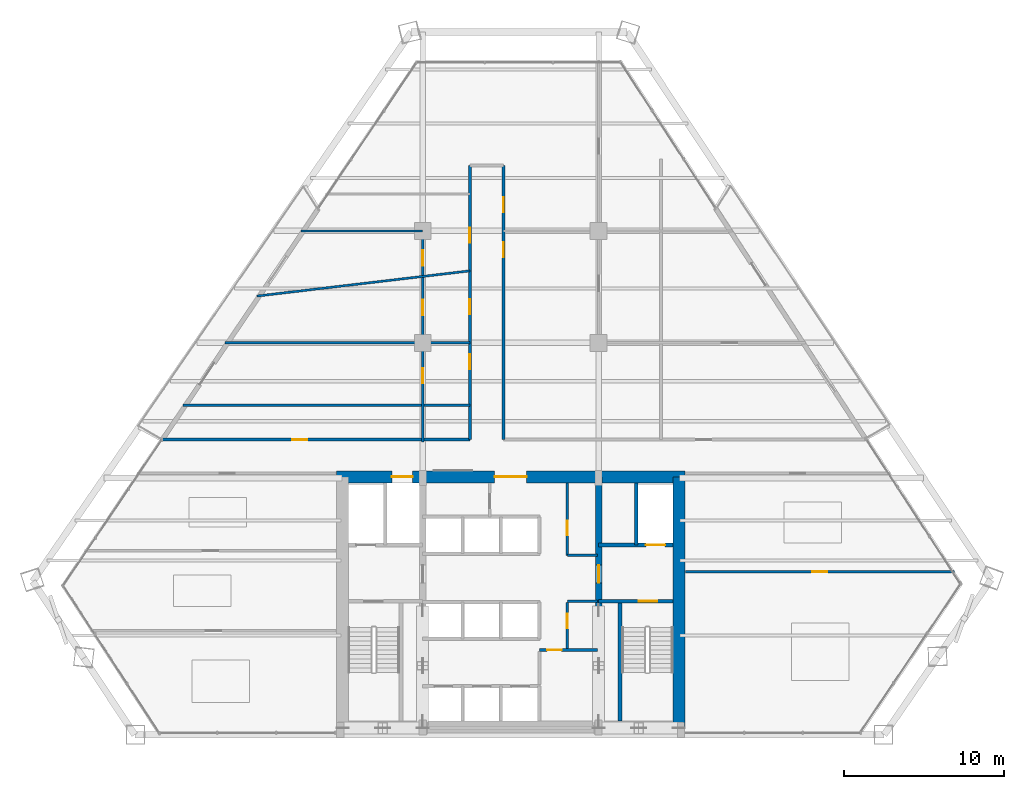
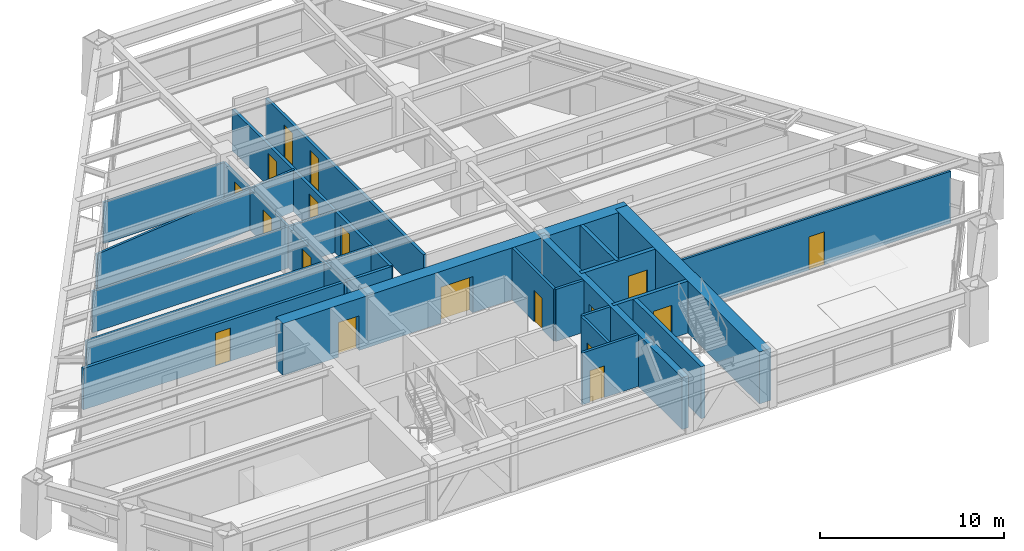
# One storey, part 11 of 14: 21 walls, 18 doors, 18 openings.
"""IFC4 building model written with IfcOpenShell, lengths in metres."""

import ifcopenshell
import ifcopenshell.guid

model = None  # the IFC model being written
_history = None  # IfcOwnerHistory: only IFC2X3 demands one
_inside = {}  # id of a spatial element -> (the spatial element, [elements in it])
_under = {}  # id of a project, library or spatial element -> (it, [spatial elements below it])
_declared = {}  # id of a project -> (the project, [libraries it declares])
_typed = {}  # id of a type object -> (the type object, [elements of that type])
_made_of = {}  # id of a material, layer set ... -> (it, [elements and type objects made of it])


def new_model(schema):
    """Start an empty IFC model of exactly this schema.

    Asked for "IFC4X3", IfcOpenShell would pick the latest addendum, in which some entities
    have other attributes; the version numbers below select the first issue.
    IFC2X3 requires an IfcOwnerHistory on every rooted entity: one is made here for all.
    """
    global model, _history
    if schema == "IFC4X3":
        model = ifcopenshell.file(schema_version=(4, 3, 0, 0))
    else:
        model = ifcopenshell.file(schema=schema)
    _inside.clear()
    _under.clear()
    _declared.clear()
    _typed.clear()
    _made_of.clear()
    _history = None
    if model.schema == "IFC2X3":
        org = make("IfcOrganization", Name="unknown")
        user = make(
            "IfcPersonAndOrganization",
            ThePerson=make("IfcPerson", FamilyName="unknown"),
            TheOrganization=org,
        )
        app = make(
            "IfcApplication",
            ApplicationDeveloper=org,
            Version="unknown",
            ApplicationFullName="unknown",
            ApplicationIdentifier="unknown",
        )
        _history = make(
            "IfcOwnerHistory",
            OwningUser=user,
            OwningApplication=app,
            ChangeAction="ADDED",
            CreationDate=0,
        )
    return model


def make(cls, **values):
    """One entity of the class cls with the attributes given. An attribute that is None is left unset."""
    return model.create_entity(
        cls, **{name: value for name, value in values.items() if value is not None}
    )


def rooted(cls, **values):
    """An entity with a GlobalId (a new one), such as an element, a storey or a relation."""
    return make(cls, GlobalId=ifcopenshell.guid.new(), OwnerHistory=_history, **values)


def si_unit(unit_type, name, prefix=None):
    """IfcSIUnit, for example si_unit("LENGTHUNIT", "METRE", prefix="MILLI")."""
    return make("IfcSIUnit", UnitType=unit_type, Prefix=prefix, Name=name)


def assignment(units):
    """IfcUnitAssignment: the units of a project."""
    return None if units is None else make("IfcUnitAssignment", Units=units)


def point(xyz):
    """IfcCartesianPoint."""
    return None if xyz is None else make("IfcCartesianPoint", Coordinates=xyz)


def direction(xyz):
    """IfcDirection."""
    return None if xyz is None else make("IfcDirection", DirectionRatios=xyz)


def frame(location, z_axis=None, x_axis=None):
    """IfcAxis2Placement3D, a coordinate frame: its origin and axes. An axis left out is left unset."""
    return make(
        "IfcAxis2Placement3D",
        Location=point(location),
        Axis=direction(z_axis),
        RefDirection=direction(x_axis),
    )


def frame_2d(location, x_axis=None):
    """IfcAxis2Placement2D, a coordinate frame in the plane: its origin and x axis."""
    return make(
        "IfcAxis2Placement2D", Location=point(location), RefDirection=direction(x_axis)
    )


def origin():
    """The frame at (0, 0, 0) with its axes left unset."""
    return frame((0.0, 0.0, 0.0))


def place(relative_to, where):
    """IfcLocalPlacement: puts the frame where relative to a parent placement (None: the world)."""
    return make(
        "IfcLocalPlacement", PlacementRelTo=relative_to, RelativePlacement=where
    )


def context(
    kind, dimensions, precision=None, world=None, true_north=None, identifier=None
):
    """IfcGeometricRepresentationContext, for example the 3D "Model" context."""
    return make(
        "IfcGeometricRepresentationContext",
        ContextIdentifier=identifier,
        ContextType=kind,
        CoordinateSpaceDimension=dimensions,
        Precision=precision,
        WorldCoordinateSystem=world,
        TrueNorth=true_north,
    )


def subcontext(parent, identifier, kind, view, scale=None):
    """IfcGeometricRepresentationSubContext, for example "Body" below "Model"."""
    return make(
        "IfcGeometricRepresentationSubContext",
        ContextIdentifier=identifier,
        ContextType=kind,
        ParentContext=parent,
        TargetScale=scale,
        TargetView=view,
    )


def project(units=None, contexts=None):
    """IfcProject with its units and contexts."""
    return rooted(
        "IfcProject",
        Name="project",
        RepresentationContexts=contexts,
        UnitsInContext=assignment(units),
    )


def spatial(cls, under=None, at=None, **own):
    """A site, building, storey or space (cls), placed at a placement, below another one or the project."""
    s = rooted(cls, ObjectPlacement=at, **own)
    if under is not None:
        _under.setdefault(under.id(), (under, []))[1].append(s)
    return s


def profile(cls, at=None, kind="AREA", **sizes):
    """A parametric profile (cls). Its sizes go by their IFC names, for example OverallWidth=200.0."""
    return make(cls, ProfileType=kind, Position=at, **sizes)


def rectangle(**sizes):
    """IfcRectangleProfileDef."""
    return profile("IfcRectangleProfileDef", **sizes)


def extrude(swept, where, along, depth):
    """IfcExtrudedAreaSolid: the profile swept, set in the frame where, extruded along a direction by depth."""
    return make(
        "IfcExtrudedAreaSolid",
        SweptArea=swept,
        Position=where,
        ExtrudedDirection=direction(along),
        Depth=depth,
    )


def shape(context_of_items, identifier, shape_type, items):
    """IfcShapeRepresentation: the items that make up one representation, for example the "Body"."""
    return make(
        "IfcShapeRepresentation",
        ContextOfItems=context_of_items,
        RepresentationIdentifier=identifier,
        RepresentationType=shape_type,
        Items=items,
    )


def source(mapping_origin, context_of_items, identifier, shape_type, items):
    """IfcRepresentationMap: a shape defined once, which mapped items show again and again."""
    return make(
        "IfcRepresentationMap",
        MappingOrigin=mapping_origin,
        MappedRepresentation=shape(context_of_items, identifier, shape_type, items),
    )


def transform(
    local_origin,
    x_axis=None,
    y_axis=None,
    z_axis=None,
    scale=None,
    scale2=None,
    scale3=None,
    uniform=True,
):
    """IfcCartesianTransformationOperator3D, or its non-uniform kind. x_axis, y_axis, z_axis: its Axis1, 2, 3."""
    if uniform:
        return make(
            "IfcCartesianTransformationOperator3D",
            Axis1=direction(x_axis),
            Axis2=direction(y_axis),
            LocalOrigin=point(local_origin),
            Scale=scale,
            Axis3=direction(z_axis),
        )
    return make(
        "IfcCartesianTransformationOperator3DnonUniform",
        Axis1=direction(x_axis),
        Axis2=direction(y_axis),
        LocalOrigin=point(local_origin),
        Scale=scale,
        Axis3=direction(z_axis),
        Scale2=scale2,
        Scale3=scale3,
    )


def mapped(mapping_source, mapping_target):
    """IfcMappedItem: shows the shape of a source again, moved by a transform."""
    return make(
        "IfcMappedItem", MappingSource=mapping_source, MappingTarget=mapping_target
    )


def material(Name=None, Category=None):
    """IfcMaterial."""
    return make("IfcMaterial", Name=Name, Category=Category)


def layer(
    of_material, thickness, ventilated=None, Name=None, Category=None, Priority=None
):
    """IfcMaterialLayer: one layer of a wall or slab, of a material (None: an air gap)."""
    return make(
        "IfcMaterialLayer",
        Material=of_material,
        LayerThickness=thickness,
        IsVentilated=ventilated,
        Name=Name,
        Category=Category,
        Priority=Priority,
    )


def layer_set(layers, Name=None):
    """IfcMaterialLayerSet."""
    return make("IfcMaterialLayerSet", MaterialLayers=layers, LayerSetName=Name)


def made_of(thing, what):
    """Note that an element or type object is made of a material, layer set ...; save() writes the relation."""
    if what is not None:
        _made_of.setdefault(what.id(), (what, []))[1].append(thing)
    return thing


def type_object(cls, material=None, **own):
    """A type object (cls), such as IfcWallType, which elements share."""
    return made_of(rooted(cls, **own), material)


def type_shapes(of_type, sources):
    """Give a type object the sources (RepresentationMaps) that its elements show as mapped items."""
    of_type.RepresentationMaps = sources


def element(
    cls,
    number,
    at=None,
    inside=None,
    cuts=None,
    type_object=None,
    material=None,
    context=None,
    identifier="Body",
    shape_type=None,
    held_by="IfcProductDefinitionShape",
    body=None,
    shapes=None,
    **own,
):
    """One element of the class cls, such as IfcWall. Its Tag is "e" and its number.

    at: its placement. inside: the storey or other place that contains it. cuts: it is an
    opening in that element (IfcRelVoidsElement). A single representation is given by context,
    identifier, shape_type and body (its items); several are given by shapes. held_by: the class
    of the entity that holds the representations. save() writes the other relations.
    """
    e = rooted(cls, Tag="e%d" % number, ObjectPlacement=at, **own)
    if body is not None:
        shapes = [shape(context, identifier, shape_type, body)]
    if shapes is not None:
        e.Representation = make(held_by, Representations=shapes)
    if inside is not None:
        _inside.setdefault(inside.id(), (inside, []))[1].append(e)
    if cuts is not None:
        rooted(
            "IfcRelVoidsElement", RelatingBuildingElement=cuts, RelatedOpeningElement=e
        )
    if type_object is not None:
        _typed.setdefault(type_object.id(), (type_object, []))[1].append(e)
    return made_of(e, material)


def fill(opening, filler):
    """IfcRelFillsElement: the door or window that sits in an opening."""
    return rooted(
        "IfcRelFillsElement",
        RelatingOpeningElement=opening,
        RelatedBuildingElement=filler,
    )


def aggregate(whole, parts):
    """IfcRelAggregates: a whole, such as a stair, and the parts it consists of."""
    return rooted("IfcRelAggregates", RelatingObject=whole, RelatedObjects=parts)


def save(model, path):
    """Write the relations noted so far, then the file.

    IfcRelAggregates (storeys below a building ...), IfcRelContainedInSpatialStructure (elements
    in a storey), IfcRelDefinesByType, IfcRelAssociatesMaterial and IfcRelDeclares: one each for
    every whole, place, type object, material and project.
    """
    for whole, parts in _under.values():
        aggregate(whole, parts)
    for where, things in _inside.values():
        rooted(
            "IfcRelContainedInSpatialStructure",
            RelatedElements=things,
            RelatingStructure=where,
        )
    for kind, things in _typed.values():
        rooted("IfcRelDefinesByType", RelatedObjects=things, RelatingType=kind)
    for what, things in _made_of.values():
        rooted("IfcRelAssociatesMaterial", RelatedObjects=things, RelatingMaterial=what)
    for by, libraries in _declared.values():
        rooted("IfcRelDeclares", RelatingContext=by, RelatedDefinitions=libraries)
    model.write(path)


model = new_model("IFC4")

# Units and contexts
model_context = context("Model", 3, precision=1e-05, world=origin(), true_north=direction((0.0, 1.0)))
body_context = subcontext(model_context, "Body", "Model", "MODEL_VIEW")
ifc_project = project(units=[si_unit("LENGTHUNIT", "METRE"), si_unit("AREAUNIT", "SQUARE_METRE"), si_unit("VOLUMEUNIT", "CUBIC_METRE"), si_unit("PLANEANGLEUNIT", "RADIAN"), si_unit("MASSUNIT", "GRAM", prefix="KILO")], contexts=[model_context])

# Site, building, storey
site_placement = place(None, origin())
site = spatial("IfcSite", under=ifc_project, at=site_placement, CompositionType="ELEMENT")
building_placement = place(site_placement, origin())
building = spatial("IfcBuilding", under=site, at=building_placement, Name="Varnakhor Terracotta Tower", CompositionType="ELEMENT")
storey_placement = place(building_placement, frame((0.0, 0.0, 84.0)))
storey = spatial("IfcBuildingStorey", under=building, at=storey_placement, Name="L20", CompositionType="ELEMENT", Elevation=84.0)

# Wall, openings, doors
ifc_material_1 = material(Name="Concrete C60/75", Category="concrete")
ifc_layer_1 = layer(ifc_material_1, 0.75, Name="Concrete C60/75")
ifc_layer_set_1 = layer_set([ifc_layer_1], Name="Concrete C60/75")
wall_type_1 = type_object("IfcWallType", Name="WAL-CORE-750", PredefinedType="SHEAR", material=ifc_layer_set_1)
wall_1_placement = place(storey_placement, frame((-10.89990234375, 16.125, 0.0), z_axis=(0.0, 0.0, 1.0), x_axis=(1.0, 0.0, 0.0)))
wall_1 = element("IfcWall", 1, at=wall_1_placement, inside=storey, type_object=wall_type_1, Name="L20 North Core Shear Wall", PredefinedType="SHEAR", context=body_context, shape_type="SweptSolid", body=[
    extrude(rectangle(XDim=21.7998046875, YDim=0.75, at=frame_2d((10.89990234375, 0.0))), origin(), (0.0, 0.0, 1.0), 3.449951171875),
])
opening_1_placement = place(wall_1_placement, frame((3.469970703125, 0.0, 0.0)))
opening_1 = element("IfcOpeningElement", 2, at=opening_1_placement, cuts=wall_1, Name="Opening LD-03", PredefinedType="OPENING", context=body_context, shape_type="SweptSolid", body=[
    extrude(rectangle(XDim=1.300048828125, YDim=2.300048828125, at=frame_2d((0.64990234375, 1.14990234375))), frame((0.0, 0.385009765625, 0.0), z_axis=(0.0, -1.0, 0.0), x_axis=(1.0, 0.0, 0.0)), (0.0, 0.0, 1.0), 0.77001953125),
])
opening_2_placement = place(wall_1_placement, frame((9.89990234375, 0.0, 0.0)))
opening_2 = element("IfcOpeningElement", 3, at=opening_2_placement, cuts=wall_1, Name="Opening DR-32", PredefinedType="OPENING", context=body_context, shape_type="SweptSolid", body=[
    extrude(rectangle(XDim=2.0, YDim=2.39990234375, at=frame_2d((1.0, 1.199951171875))), frame((0.0, 0.385009765625, 0.0), z_axis=(0.0, -1.0, 0.0), x_axis=(1.0, 0.0, 0.0)), (0.0, 0.0, 1.0), 0.77001953125),
])
ifc_material_2 = material(Name="Heavy-Duty Goods Sliding Lift Landing Door", Category="steel")
door_type_1 = type_object("IfcDoorType", Name="LD-SRV-1300X2300", OperationType="NOTDEFINED", PredefinedType="DOOR", material=ifc_material_2)
shared_shape_1 = source(origin(), body_context, "Body", "SweptSolid", [
    extrude(rectangle(XDim=1.300048828125, YDim=2.300048828125, at=frame_2d((0.64990234375, 1.14990234375))), frame((0.0, 0.02490234375, 0.0), z_axis=(0.0, -1.0, 0.0), x_axis=(1.0, 0.0, 0.0)), (0.0, 0.0, 1.0), 0.050048828125),
])
type_shapes(door_type_1, [shared_shape_1])
door_1_placement = place(opening_1_placement, origin())
door_1 = element("IfcDoor", 4, at=door_1_placement, inside=storey, type_object=door_type_1, Name="L20 Service Lift SVL-1 Landing Door", OperationType="SLIDING_TO_RIGHT", OverallHeight=2.300048828125, OverallWidth=1.300048828125, PredefinedType="DOOR", context=body_context, shape_type="MappedRepresentation", body=[
    mapped(shared_shape_1, transform((0.0, 0.0, 0.0), scale=1.0)),
])
fill(opening_1, door_1)
ifc_material_3 = material(Name="Acoustic Double Assembly Fire Door", Category="wood")
door_type_2 = type_object("IfcDoorType", Name="DR-HALL-2000X2400", OperationType="NOTDEFINED", PredefinedType="DOOR", material=ifc_material_3)
shared_shape_2 = source(origin(), body_context, "Body", "SweptSolid", [
    extrude(rectangle(XDim=2.0, YDim=2.39990234375, at=frame_2d((1.0, 1.199951171875))), frame((0.0, 0.02490234375, 0.0), z_axis=(0.0, -1.0, 0.0), x_axis=(1.0, 0.0, 0.0)), (0.0, 0.0, 1.0), 0.050048828125),
])
type_shapes(door_type_2, [shared_shape_2])
door_2_placement = place(opening_2_placement, origin())
door_2 = element("IfcDoor", 5, at=door_2_placement, inside=storey, type_object=door_type_2, Name="L20 Core Main Lobby Double Door", OperationType="DOUBLE_DOOR_SINGLE_SWING", OverallHeight=2.39990234375, OverallWidth=2.0, PredefinedType="DOOR", context=body_context, shape_type="MappedRepresentation", body=[
    mapped(shared_shape_2, transform((0.0, 0.0, 0.0), scale=1.0)),
])
fill(opening_2, door_2)

# Wall
wall_2_placement = place(storey_placement, frame((10.52490234375, 0.47509765625, 0.0), z_axis=(0.0, 0.0, 1.0), x_axis=(0.0, 1.0, 0.0)))
element("IfcWall", 6, at=wall_2_placement, inside=storey, type_object=wall_type_1, Name="L20 East Core Shear Wall", PredefinedType="SHEAR", context=body_context, shape_type="SweptSolid", body=[
    extrude(rectangle(XDim=15.64990234375, YDim=0.75, at=frame_2d((7.824951171875, 0.0))), origin(), (0.0, 0.0, 1.0), 3.449951171875),
])

# Wall, opening, door
ifc_material_4 = material(Name="Concrete C50/60", Category="concrete")
ifc_layer_2 = layer(ifc_material_4, 0.39990234375, Name="Concrete C50/60")
ifc_layer_set_2 = layer_set([ifc_layer_2], Name="Concrete C50/60")
wall_type_2 = type_object("IfcWallType", Name="WAL-CORE-WEB-400", PredefinedType="SHEAR", material=ifc_layer_set_2)
wall_3_placement = place(storey_placement, frame((5.5, 0.47509765625, 0.0), z_axis=(0.0, 0.0, 1.0), x_axis=(0.0, 1.0, 0.0)))
wall_3 = element("IfcWall", 7, at=wall_3_placement, inside=storey, type_object=wall_type_2, Name="L20 East Core Web Shear Wall", PredefinedType="SHEAR", context=body_context, shape_type="SweptSolid", body=[
    extrude(rectangle(XDim=15.64990234375, YDim=0.39990234375, at=frame_2d((7.824951171875, 0.0))), origin(), (0.0, 0.0, 1.0), 3.449951171875),
])
opening_3_placement = place(wall_3_placement, frame((9.02490234375, 0.0, 0.0)))
opening_3 = element("IfcOpeningElement", 8, at=opening_3_placement, cuts=wall_3, Name="Opening DR-25", PredefinedType="OPENING", context=body_context, shape_type="SweptSolid", body=[
    extrude(rectangle(XDim=1.10009765625, YDim=2.199951171875, at=frame_2d((0.550048828125, 1.10009765625))), frame((0.0, 0.2099609375, 0.0), z_axis=(0.0, -1.0, 0.0), x_axis=(1.0, 0.0, 0.0)), (0.0, 0.0, 1.0), 0.419921875),
])
ifc_material_5 = material(Name="Firefighting Lobby Self-Closing Fire Door", Category="steel")
door_type_3 = type_object("IfcDoorType", Name="DR-FFL-1100X2200", OperationType="NOTDEFINED", PredefinedType="DOOR", material=ifc_material_5)
shared_shape_3 = source(origin(), body_context, "Body", "SweptSolid", [
    extrude(rectangle(XDim=1.10009765625, YDim=2.199951171875, at=frame_2d((0.550048828125, 1.10009765625))), frame((0.0, 0.02490234375, 0.0), z_axis=(0.0, -1.0, 0.0), x_axis=(1.0, 0.0, 0.0)), (0.0, 0.0, 1.0), 0.050048828125),
])
type_shapes(door_type_3, [shared_shape_3])
door_3_placement = place(opening_3_placement, origin())
door_3 = element("IfcDoor", 9, at=door_3_placement, inside=storey, type_object=door_type_3, Name="L20 East Firefighting Lobby Door", OperationType="SINGLE_SWING_RIGHT", OverallHeight=2.199951171875, OverallWidth=1.10009765625, PredefinedType="DOOR", context=body_context, shape_type="MappedRepresentation", body=[
    mapped(shared_shape_3, transform((0.0, 0.0, 0.0), scale=1.0)),
])
fill(opening_3, door_3)

ifc_material_6 = material(Name="Fire-Rated Gypsum Stud Partition", Category="gypsum")
ifc_layer_3 = layer(ifc_material_6, 0.18505859375, Name="Fire-Rated Gypsum Stud Partition")
ifc_layer_set_3 = layer_set([ifc_layer_3], Name="Fire-Rated Gypsum Stud Partition")
wall_type_3 = type_object("IfcWallType", Name="WAL-CORR-185", PredefinedType="PARTITIONING", material=ifc_layer_set_3)
wall_4_placement = place(storey_placement, frame((-21.930908203125, 18.449951171875, 0.0), z_axis=(0.0, 0.0, 1.0), x_axis=(1.0, 0.0, 0.0)))
wall_4 = element("IfcWall", 10, at=wall_4_placement, inside=storey, type_object=wall_type_3, Name="L20 Corridor North West Wall", PredefinedType="PARTITIONING", context=body_context, shape_type="SweptSolid", body=[
    extrude(rectangle(XDim=19.380859375, YDim=0.18505859375, at=frame_2d((9.6904296875, 0.0))), origin(), (0.0, 0.0, 1.0), 2.7470703125),
])
opening_4_placement = place(wall_4_placement, frame((8.280517578125, 0.0, 0.0)))
opening_4 = element("IfcOpeningElement", 11, at=opening_4_placement, cuts=wall_4, Name="Opening DR-94", PredefinedType="OPENING", context=body_context, shape_type="SweptSolid", body=[
    extrude(rectangle(XDim=0.949951171875, YDim=2.199951171875, at=frame_2d((0.47509765625, 1.10009765625))), frame((0.0, 0.1025390625, 0.0), z_axis=(0.0, -1.0, 0.0), x_axis=(1.0, 0.0, 0.0)), (0.0, 0.0, 1.0), 0.205078125),
])
ifc_material_7 = material(Name="Acoustic Glazed-Vision Timber Office Door", Category="wood")
door_type_4 = type_object("IfcDoorType", Name="DR-OFF-950X2200", OperationType="NOTDEFINED", PredefinedType="DOOR", material=ifc_material_7)
shared_shape_4 = source(origin(), body_context, "Body", "SweptSolid", [
    extrude(rectangle(XDim=0.949951171875, YDim=2.199951171875, at=frame_2d((0.47509765625, 1.10009765625))), frame((0.0, 0.02490234375, 0.0), z_axis=(0.0, -1.0, 0.0), x_axis=(1.0, 0.0, 0.0)), (0.0, 0.0, 1.0), 0.050048828125),
])
type_shapes(door_type_4, [shared_shape_4])
door_4_placement = place(opening_4_placement, origin())
door_4 = element("IfcDoor", 12, at=door_4_placement, inside=storey, type_object=door_type_4, Name="L20 West Workplace Door", OperationType="SINGLE_SWING_LEFT", OverallHeight=2.199951171875, OverallWidth=0.949951171875, PredefinedType="DOOR", context=body_context, shape_type="MappedRepresentation", body=[
    mapped(shared_shape_4, transform((0.0, 0.0, 0.0), scale=1.0)),
])
fill(opening_4, door_4)

# Wall, openings, doors
wall_5_placement = place(storey_placement, frame((-2.550048828125, 18.449951171875, 0.0), z_axis=(0.0, 0.0, 1.0), x_axis=(0.0, 1.0, 0.0)))
wall_5 = element("IfcWall", 13, at=wall_5_placement, inside=storey, type_object=wall_type_3, Name="L20 Spine West Wall", PredefinedType="PARTITIONING", context=body_context, shape_type="SweptSolid", body=[
    extrude(rectangle(XDim=17.150146484375, YDim=0.18505859375, at=frame_2d((8.5751953125, 0.0))), origin(), (0.0, 0.0, 1.0), 2.7470703125),
])
opening_5_placement = place(wall_5_placement, frame((4.3974609375, 0.0, 0.0)))
opening_5 = element("IfcOpeningElement", 14, at=opening_5_placement, cuts=wall_5, Name="Opening DR-94", PredefinedType="OPENING", context=body_context, shape_type="SweptSolid", body=[
    extrude(rectangle(XDim=0.949951171875, YDim=2.199951171875, at=frame_2d((0.47509765625, 1.10009765625))), frame((0.0, 0.1025390625, 0.0), z_axis=(0.0, -1.0, 0.0), x_axis=(1.0, 0.0, 0.0)), (0.0, 0.0, 1.0), 0.205078125),
])
opening_6_placement = place(wall_5_placement, frame((7.830078125, 0.0, 0.0)))
opening_6 = element("IfcOpeningElement", 15, at=opening_6_placement, cuts=wall_5, Name="Opening DR-94", PredefinedType="OPENING", context=body_context, shape_type="SweptSolid", body=[
    extrude(rectangle(XDim=0.949951171875, YDim=2.199951171875, at=frame_2d((0.47509765625, 1.10009765625))), frame((0.0, 0.1025390625, 0.0), z_axis=(0.0, -1.0, 0.0), x_axis=(1.0, 0.0, 0.0)), (0.0, 0.0, 1.0), 0.205078125),
])
opening_7_placement = place(wall_5_placement, frame((12.296142578125, 0.0, 0.0)))
opening_7 = element("IfcOpeningElement", 16, at=opening_7_placement, cuts=wall_5, Name="Opening DR-94", PredefinedType="OPENING", context=body_context, shape_type="SweptSolid", body=[
    extrude(rectangle(XDim=0.949951171875, YDim=2.199951171875, at=frame_2d((0.47509765625, 1.10009765625))), frame((0.0, 0.1025390625, 0.0), z_axis=(0.0, -1.0, 0.0), x_axis=(1.0, 0.0, 0.0)), (0.0, 0.0, 1.0), 0.205078125),
])
door_5_placement = place(opening_5_placement, origin())
door_5 = element("IfcDoor", 17, at=door_5_placement, inside=storey, type_object=door_type_4, Name="L20 Spine West Door", OperationType="SINGLE_SWING_LEFT", OverallHeight=2.199951171875, OverallWidth=0.949951171875, PredefinedType="DOOR", context=body_context, shape_type="MappedRepresentation", body=[
    mapped(shared_shape_4, transform((0.0, 0.0, 0.0), scale=1.0)),
])
fill(opening_5, door_5)
door_6_placement = place(opening_6_placement, origin())
door_6 = element("IfcDoor", 18, at=door_6_placement, inside=storey, type_object=door_type_4, Name="L20 Meeting Room North B13 Door", OperationType="SINGLE_SWING_RIGHT", OverallHeight=2.199951171875, OverallWidth=0.949951171875, PredefinedType="DOOR", context=body_context, shape_type="MappedRepresentation", body=[
    mapped(shared_shape_4, transform((0.0, 0.0, 0.0), scale=1.0)),
])
fill(opening_6, door_6)
door_7_placement = place(opening_7_placement, origin())
door_7 = element("IfcDoor", 19, at=door_7_placement, inside=storey, type_object=door_type_4, Name="L20 Cellular Office 1 B17 Door", OperationType="SINGLE_SWING_LEFT", OverallHeight=2.199951171875, OverallWidth=0.949951171875, PredefinedType="DOOR", context=body_context, shape_type="MappedRepresentation", body=[
    mapped(shared_shape_4, transform((0.0, 0.0, 0.0), scale=1.0)),
])
fill(opening_7, door_7)

wall_6_placement = place(storey_placement, frame((-0.449951171875, 18.449951171875, 0.0), z_axis=(0.0, 0.0, 1.0), x_axis=(0.0, 1.0, 0.0)))
wall_6 = element("IfcWall", 20, at=wall_6_placement, inside=storey, type_object=wall_type_3, Name="L20 Spine East Wall", PredefinedType="PARTITIONING", context=body_context, shape_type="SweptSolid", body=[
    extrude(rectangle(XDim=17.150146484375, YDim=0.18505859375, at=frame_2d((8.5751953125, 0.0))), origin(), (0.0, 0.0, 1.0), 2.7470703125),
])
opening_8_placement = place(wall_6_placement, frame((11.39404296875, 0.0, 0.0)))
opening_8 = element("IfcOpeningElement", 21, at=opening_8_placement, cuts=wall_6, Name="Opening DR-94", PredefinedType="OPENING", context=body_context, shape_type="SweptSolid", body=[
    extrude(rectangle(XDim=0.949951171875, YDim=2.199951171875, at=frame_2d((0.47509765625, 1.10009765625))), frame((0.0, 0.1025390625, 0.0), z_axis=(0.0, -1.0, 0.0), x_axis=(1.0, 0.0, 0.0)), (0.0, 0.0, 1.0), 0.205078125),
])
opening_9_placement = place(wall_6_placement, frame((14.21435546875, 0.0, 0.0)))
opening_9 = element("IfcOpeningElement", 22, at=opening_9_placement, cuts=wall_6, Name="Opening DR-94", PredefinedType="OPENING", context=body_context, shape_type="SweptSolid", body=[
    extrude(rectangle(XDim=0.949951171875, YDim=2.199951171875, at=frame_2d((0.47509765625, 1.10009765625))), frame((0.0, 0.1025390625, 0.0), z_axis=(0.0, -1.0, 0.0), x_axis=(1.0, 0.0, 0.0)), (0.0, 0.0, 1.0), 0.205078125),
])
door_8_placement = place(opening_8_placement, origin())
door_8 = element("IfcDoor", 23, at=door_8_placement, inside=storey, type_object=door_type_4, Name="L20 Spine East Door", OperationType="SINGLE_SWING_RIGHT", OverallHeight=2.199951171875, OverallWidth=0.949951171875, PredefinedType="DOOR", context=body_context, shape_type="MappedRepresentation", body=[
    mapped(shared_shape_4, transform((0.0, 0.0, 0.0), scale=1.0)),
])
fill(opening_8, door_8)
door_9_placement = place(opening_9_placement, origin())
door_9 = element("IfcDoor", 24, at=door_9_placement, inside=storey, type_object=door_type_4, Name="L20 Cellular Office 2 Door", OperationType="SINGLE_SWING_RIGHT", OverallHeight=2.199951171875, OverallWidth=0.949951171875, PredefinedType="DOOR", context=body_context, shape_type="MappedRepresentation", body=[
    mapped(shared_shape_4, transform((0.0, 0.0, 0.0), scale=1.0)),
])
fill(opening_9, door_9)

# Wall, opening, door
ifc_material_8 = material(Name="Concrete C40/50", Category="concrete")
ifc_layer_4 = layer(ifc_material_8, 0.219970703125, Name="Concrete C40/50")
ifc_layer_set_4 = layer_set([ifc_layer_4], Name="Concrete C40/50")
wall_type_4 = type_object("IfcWallType", Name="WAL-FFLOBBY-220", PredefinedType="SOLIDWALL", material=ifc_layer_set_4)
wall_7_placement = place(storey_placement, frame((10.14990234375, 8.35009765625, 0.0), z_axis=(0.0, 0.0, 1.0), x_axis=(-1.0, 0.0, 0.0)))
wall_7 = element("IfcWall", 25, at=wall_7_placement, inside=storey, type_object=wall_type_4, Name="L20 East Firefighting Lobby Stair Wall", PredefinedType="SOLIDWALL", context=body_context, shape_type="SweptSolid", body=[
    extrude(rectangle(XDim=4.64990234375, YDim=0.219970703125, at=frame_2d((2.324951171875, 0.0))), origin(), (0.0, 0.0, 1.0), 3.449951171875),
])
opening_10_placement = place(wall_7_placement, frame((1.0, 0.0, 0.0)))
opening_10 = element("IfcOpeningElement", 26, at=opening_10_placement, cuts=wall_7, Name="Opening DR-34", PredefinedType="OPENING", context=body_context, shape_type="SweptSolid", body=[
    extrude(rectangle(XDim=1.14990234375, YDim=2.199951171875, at=frame_2d((0.574951171875, 1.10009765625))), frame((0.0, 0.1201171875, 0.0), z_axis=(0.0, -1.0, 0.0), x_axis=(1.0, 0.0, 0.0)), (0.0, 0.0, 1.0), 0.239990234375),
])
ifc_material_9 = material(Name="Self-Closing Smoke-Sealed Steel Fire Door", Category="steel")
door_type_5 = type_object("IfcDoorType", Name="DR-STAIR-1150X2200", OperationType="NOTDEFINED", PredefinedType="DOOR", material=ifc_material_9)
shared_shape_5 = source(origin(), body_context, "Body", "SweptSolid", [
    extrude(rectangle(XDim=1.14990234375, YDim=2.199951171875, at=frame_2d((0.574951171875, 1.10009765625))), frame((0.0, 0.02490234375, 0.0), z_axis=(0.0, -1.0, 0.0), x_axis=(1.0, 0.0, 0.0)), (0.0, 0.0, 1.0), 0.050048828125),
])
type_shapes(door_type_5, [shared_shape_5])
door_10_placement = place(opening_10_placement, origin())
door_10 = element("IfcDoor", 27, at=door_10_placement, inside=storey, type_object=door_type_5, Name="L20 Exit Stair ST-2 Fire Door", OperationType="SINGLE_SWING_LEFT", OverallHeight=2.199951171875, OverallWidth=1.14990234375, PredefinedType="DOOR", context=body_context, shape_type="MappedRepresentation", body=[
    mapped(shared_shape_5, transform((0.0, 0.0, 0.0), scale=1.0)),
])
fill(opening_10, door_10)

# Wall, openings, doors
ifc_material_10 = material(Name="Acoustic Metal-Stud Partition", Category="gypsum")
ifc_layer_5 = layer(ifc_material_10, 0.139892578125, Name="Acoustic Metal-Stud Partition")
ifc_layer_set_5 = layer_set([ifc_layer_5], Name="Acoustic Metal-Stud Partition")
wall_type_5 = type_object("IfcWallType", Name="WAL-PART-140", PredefinedType="PARTITIONING", material=ifc_layer_set_5)
wall_8_placement = place(storey_placement, frame((-5.5, 18.300048828125, 0.0), z_axis=(0.0, 0.0, 1.0), x_axis=(0.0, 1.0, 0.0)))
wall_8 = element("IfcWall", 28, at=wall_8_placement, inside=storey, type_object=wall_type_5, Name="L20 West Column Line Wall", PredefinedType="PARTITIONING", context=body_context, shape_type="SweptSolid", body=[
    extrude(rectangle(XDim=13.199951171875, YDim=0.139892578125, at=frame_2d((6.60009765625, 0.0))), origin(), (0.0, 0.0, 1.0), 2.7470703125),
])
opening_11_placement = place(wall_8_placement, frame((3.66650390625, 0.0, 0.0)))
opening_11 = element("IfcOpeningElement", 29, at=opening_11_placement, cuts=wall_8, Name="Opening DR-94", PredefinedType="OPENING", context=body_context, shape_type="SweptSolid", body=[
    extrude(rectangle(XDim=0.949951171875, YDim=2.199951171875, at=frame_2d((0.47509765625, 1.10009765625))), frame((0.0, 0.080078125, 0.0), z_axis=(0.0, -1.0, 0.0), x_axis=(1.0, 0.0, 0.0)), (0.0, 0.0, 1.0), 0.159912109375),
])
opening_12_placement = place(wall_8_placement, frame((7.93896484375, 0.0, 0.0)))
opening_12 = element("IfcOpeningElement", 30, at=opening_12_placement, cuts=wall_8, Name="Opening DR-94", PredefinedType="OPENING", context=body_context, shape_type="SweptSolid", body=[
    extrude(rectangle(XDim=0.949951171875, YDim=2.199951171875, at=frame_2d((0.47509765625, 1.10009765625))), frame((0.0, 0.080078125, 0.0), z_axis=(0.0, -1.0, 0.0), x_axis=(1.0, 0.0, 0.0)), (0.0, 0.0, 1.0), 0.159912109375),
])
opening_13_placement = place(wall_8_placement, frame((11.034912109375, 0.0, 0.0)))
opening_13 = element("IfcOpeningElement", 31, at=opening_13_placement, cuts=wall_8, Name="Opening DR-94", PredefinedType="OPENING", context=body_context, shape_type="SweptSolid", body=[
    extrude(rectangle(XDim=0.949951171875, YDim=2.199951171875, at=frame_2d((0.47509765625, 1.10009765625))), frame((0.0, 0.080078125, 0.0), z_axis=(0.0, -1.0, 0.0), x_axis=(1.0, 0.0, 0.0)), (0.0, 0.0, 1.0), 0.159912109375),
])
door_11_placement = place(opening_11_placement, origin())
door_11 = element("IfcDoor", 32, at=door_11_placement, inside=storey, type_object=door_type_4, Name="L20 Cellular Office 3 Door", OperationType="SINGLE_SWING_LEFT", OverallHeight=2.199951171875, OverallWidth=0.949951171875, PredefinedType="DOOR", context=body_context, shape_type="MappedRepresentation", body=[
    mapped(shared_shape_4, transform((0.0, 0.0, 0.0), scale=1.0)),
])
fill(opening_11, door_11)
door_12_placement = place(opening_12_placement, origin())
door_12 = element("IfcDoor", 33, at=door_12_placement, inside=storey, type_object=door_type_4, Name="L20 Staff Dining Room B12 Door", OperationType="SINGLE_SWING_RIGHT", OverallHeight=2.199951171875, OverallWidth=0.949951171875, PredefinedType="DOOR", context=body_context, shape_type="MappedRepresentation", body=[
    mapped(shared_shape_4, transform((0.0, 0.0, 0.0), scale=1.0)),
])
fill(opening_12, door_12)
door_13_placement = place(opening_13_placement, origin())
door_13 = element("IfcDoor", 34, at=door_13_placement, inside=storey, type_object=door_type_4, Name="L20 Meeting Room North Door", OperationType="SINGLE_SWING_LEFT", OverallHeight=2.199951171875, OverallWidth=0.949951171875, PredefinedType="DOOR", context=body_context, shape_type="MappedRepresentation", body=[
    mapped(shared_shape_4, transform((0.0, 0.0, 0.0), scale=1.0)),
])
fill(opening_13, door_13)

# Walls
wall_9_placement = place(storey_placement, frame((-13.112060546875, 31.5, 0.0), z_axis=(0.0, 0.0, 1.0), x_axis=(1.0, 0.0, 0.0)))
element("IfcWall", 35, at=wall_9_placement, inside=storey, type_object=wall_type_5, Name="L20 North West Column Wall", PredefinedType="PARTITIONING", context=body_context, shape_type="SweptSolid", body=[
    extrude(rectangle(XDim=7.612060546875, YDim=0.139892578125, at=frame_2d((3.80615234375, 0.0))), origin(), (0.0, 0.0, 1.0), 2.7470703125),
])
wall_10_placement = place(storey_placement, frame((-20.477783203125, 20.60009765625, 0.0), z_axis=(0.0, 0.0, 1.0), x_axis=(1.0, 0.0, 0.0)))
element("IfcWall", 36, at=wall_10_placement, inside=storey, type_object=wall_type_5, Name="L20 West Wing Cut 1", PredefinedType="PARTITIONING", context=body_context, shape_type="SweptSolid", body=[
    extrude(rectangle(XDim=17.927734375, YDim=0.139892578125, at=frame_2d((8.9638671875, 0.0))), origin(), (0.0, 0.0, 1.0), 2.7470703125),
])
wall_11_placement = place(storey_placement, frame((-17.842529296875, 24.5, 0.0), z_axis=(0.0, 0.0, 1.0), x_axis=(1.0, 0.0, 0.0)))
element("IfcWall", 37, at=wall_11_placement, inside=storey, type_object=wall_type_5, Name="L20 West Wing Cut 2", PredefinedType="PARTITIONING", context=body_context, shape_type="SweptSolid", body=[
    extrude(rectangle(XDim=15.29248046875, YDim=0.139892578125, at=frame_2d((7.646240234375, 0.0))), origin(), (0.0, 0.0, 1.0), 2.7470703125),
])
wall_12_placement = place(storey_placement, frame((-15.866943359375, 27.42333984375, 0.0), z_axis=(0.0, 0.0, 1.0), x_axis=(0.993064088307, 0.117574302099, 0.0)))
element("IfcWall", 38, at=wall_12_placement, inside=storey, type_object=wall_type_5, Name="L20 West Wing Cut 3", PredefinedType="PARTITIONING", context=body_context, shape_type="SweptSolid", body=[
    extrude(rectangle(XDim=13.409912109375, YDim=0.139892578125, at=frame_2d((6.705078125, 0.0))), origin(), (0.0, 0.0, 1.0), 2.7470703125),
])

# Wall, opening, door
wall_13_placement = place(storey_placement, frame((10.919921875, 10.199951171875, 0.0), z_axis=(0.0, 0.0, 1.0), x_axis=(1.0, 0.0, 0.0)))
wall_13 = element("IfcWall", 39, at=wall_13_placement, inside=storey, type_object=wall_type_5, Name="L20 South East Cut 1", PredefinedType="PARTITIONING", context=body_context, shape_type="SweptSolid", body=[
    extrude(rectangle(XDim=16.83251953125, YDim=0.139892578125, at=frame_2d((8.416259765625, 0.0))), origin(), (0.0, 0.0, 1.0), 3.44189453125),
])
opening_14_placement = place(wall_13_placement, frame((7.931640625, 0.0, 0.0)))
opening_14 = element("IfcOpeningElement", 40, at=opening_14_placement, cuts=wall_13, Name="Opening DR-94", PredefinedType="OPENING", context=body_context, shape_type="SweptSolid", body=[
    extrude(rectangle(XDim=0.949951171875, YDim=2.199951171875, at=frame_2d((0.47509765625, 1.10009765625))), frame((0.0, 0.080078125, 0.0), z_axis=(0.0, -1.0, 0.0), x_axis=(1.0, 0.0, 0.0)), (0.0, 0.0, 1.0), 0.159912109375),
])
door_14_placement = place(opening_14_placement, origin())
door_14 = element("IfcDoor", 41, at=door_14_placement, inside=storey, type_object=door_type_4, Name="L20 South East Conference Room Door", OperationType="SINGLE_SWING_LEFT", OverallHeight=2.199951171875, OverallWidth=0.949951171875, PredefinedType="DOOR", context=body_context, shape_type="MappedRepresentation", body=[
    mapped(shared_shape_4, transform((0.0, 0.0, 0.0), scale=1.0)),
])
fill(opening_14, door_14)

# Walls
ifc_layer_6 = layer(ifc_material_8, 0.219970703125, Name="Concrete C40/50")
ifc_layer_set_6 = layer_set([ifc_layer_6], Name="Concrete C40/50")
wall_type_6 = type_object("IfcWallType", Name="WAL-SHAFT-220", PredefinedType="SOLIDWALL", material=ifc_layer_set_6)
wall_14_placement = place(storey_placement, frame((7.840087890625, 11.8701171875, 0.0), z_axis=(0.0, 0.0, 1.0), x_axis=(0.0, 1.0, 0.0)))
element("IfcWall", 42, at=wall_14_placement, inside=storey, type_object=wall_type_6, Name="L20 Lift FFL-2 and Riser Divider Wall", PredefinedType="SOLIDWALL", context=body_context, shape_type="SweptSolid", body=[
    extrude(rectangle(XDim=3.8798828125, YDim=0.219970703125, at=frame_2d((1.93994140625, 0.0))), origin(), (0.0, 0.0, 1.0), 3.449951171875),
])
ifc_layer_7 = layer(ifc_material_8, 0.25, Name="Concrete C40/50")
ifc_layer_set_7 = layer_set([ifc_layer_7], Name="Concrete C40/50")
wall_type_7 = type_object("IfcWallType", Name="WAL-SHAFT-250", PredefinedType="SOLIDWALL", material=ifc_layer_set_7)
wall_15_placement = place(storey_placement, frame((6.85009765625, 0.85009765625, 0.0), z_axis=(0.0, 0.0, 1.0), x_axis=(0.0, 1.0, 0.0)))
element("IfcWall", 43, at=wall_15_placement, inside=storey, type_object=wall_type_7, Name="L20 Stair ST-2 Bearing Shaft Wall", PredefinedType="SOLIDWALL", context=body_context, shape_type="SweptSolid", body=[
    extrude(rectangle(XDim=7.5, YDim=0.25, at=frame_2d((3.75, 0.0))), origin(), (0.0, 0.0, 1.0), 3.449951171875),
])

# Wall, opening, door
wall_16_placement = place(storey_placement, frame((10.14990234375, 11.8701171875, 0.0), z_axis=(0.0, 0.0, 1.0), x_axis=(-1.0, 0.0, 0.0)))
wall_16 = element("IfcWall", 44, at=wall_16_placement, inside=storey, type_object=wall_type_7, Name="L20 Lift FFL-2 Shaft Front Wall", PredefinedType="SOLIDWALL", context=body_context, shape_type="SweptSolid", body=[
    extrude(rectangle(XDim=4.64990234375, YDim=0.25, at=frame_2d((2.324951171875, 0.0))), origin(), (0.0, 0.0, 1.0), 3.449951171875),
])
opening_15_placement = place(wall_16_placement, frame((0.5, 0.0, 0.0)))
opening_15 = element("IfcOpeningElement", 45, at=opening_15_placement, cuts=wall_16, Name="Opening LD-02", PredefinedType="OPENING", context=body_context, shape_type="SweptSolid", body=[
    extrude(rectangle(XDim=1.199951171875, YDim=2.25, at=frame_2d((0.60009765625, 1.125))), frame((0.0, 0.135009765625, 0.0), z_axis=(0.0, -1.0, 0.0), x_axis=(1.0, 0.0, 0.0)), (0.0, 0.0, 1.0), 0.27001953125),
])
ifc_material_11 = material(Name="Firefighting Stretcher Sliding Lift Landing Door", Category="steel")
door_type_6 = type_object("IfcDoorType", Name="LD-FFL-1200X2250", OperationType="NOTDEFINED", PredefinedType="DOOR", material=ifc_material_11)
shared_shape_6 = source(origin(), body_context, "Body", "SweptSolid", [
    extrude(rectangle(XDim=1.199951171875, YDim=2.25, at=frame_2d((0.60009765625, 1.125))), frame((0.0, 0.02490234375, 0.0), z_axis=(0.0, -1.0, 0.0), x_axis=(1.0, 0.0, 0.0)), (0.0, 0.0, 1.0), 0.050048828125),
])
type_shapes(door_type_6, [shared_shape_6])
door_15_placement = place(opening_15_placement, origin())
door_15 = element("IfcDoor", 46, at=door_15_placement, inside=storey, type_object=door_type_6, Name="L20 Firefighting Lift FFL-2 Landing Door", OperationType="SLIDING_TO_RIGHT", OverallHeight=2.25, OverallWidth=1.199951171875, PredefinedType="DOOR", context=body_context, shape_type="MappedRepresentation", body=[
    mapped(shared_shape_6, transform((0.0, 0.0, 0.0), scale=1.0)),
])
fill(opening_15, door_15)

ifc_material_12 = material(Name="Acoustic Fire-Rated Partition", Category="gypsum")
ifc_layer_8 = layer(ifc_material_12, 0.1650390625, Name="Acoustic Fire-Rated Partition")
ifc_layer_set_8 = layer_set([ifc_layer_8], Name="Acoustic Fire-Rated Partition")
wall_type_8 = type_object("IfcWallType", Name="WAL-TENANCY-165", PredefinedType="PARTITIONING", material=ifc_layer_set_8)
wall_17_placement = place(storey_placement, frame((3.5400390625, 5.382568359375, 0.0), z_axis=(0.0, 0.0, 1.0), x_axis=(0.0, 1.0, 0.0)))
wall_17 = element("IfcWall", 47, at=wall_17_placement, inside=storey, type_object=wall_type_8, Name="L20 Core Service Rated Wall", PredefinedType="PARTITIONING", context=body_context, shape_type="SweptSolid", body=[
    extrude(rectangle(XDim=2.875, YDim=0.1650390625, at=frame_2d((1.4375, 0.0))), origin(), (0.0, 0.0, 1.0), 3.44189453125),
])
opening_16_placement = place(wall_17_placement, frame((1.293701171875, 0.0, 0.0)))
opening_16 = element("IfcOpeningElement", 48, at=opening_16_placement, cuts=wall_17, Name="Opening DR-67", PredefinedType="OPENING", context=body_context, shape_type="SweptSolid", body=[
    extrude(rectangle(XDim=0.89990234375, YDim=2.10009765625, at=frame_2d((0.449951171875, 1.050048828125))), frame((0.0, 0.092529296875, 0.0), z_axis=(0.0, -1.0, 0.0), x_axis=(1.0, 0.0, 0.0)), (0.0, 0.0, 1.0), 0.18505859375),
])
ifc_material_13 = material(Name="Steel Service Riser Fire Door", Category="steel")
door_type_7 = type_object("IfcDoorType", Name="DR-RISER-900X2100", OperationType="NOTDEFINED", PredefinedType="DOOR", material=ifc_material_13)
shared_shape_7 = source(origin(), body_context, "Body", "SweptSolid", [
    extrude(rectangle(XDim=0.89990234375, YDim=2.10009765625, at=frame_2d((0.449951171875, 1.050048828125))), frame((0.0, 0.02490234375, 0.0), z_axis=(0.0, -1.0, 0.0), x_axis=(1.0, 0.0, 0.0)), (0.0, 0.0, 1.0), 0.050048828125),
])
type_shapes(door_type_7, [shared_shape_7])
door_16_placement = place(opening_16_placement, origin())
door_16 = element("IfcDoor", 49, at=door_16_placement, inside=storey, type_object=door_type_7, Name="L20 Core Accessible WC Door", OperationType="SINGLE_SWING_RIGHT", OverallHeight=2.10009765625, OverallWidth=0.89990234375, PredefinedType="DOOR", context=body_context, shape_type="MappedRepresentation", body=[
    mapped(shared_shape_7, transform((0.0, 0.0, 0.0), scale=1.0)),
])
fill(opening_16, door_16)

# Wall
wall_18_placement = place(storey_placement, frame((3.5400390625, 8.340087890625, 0.0), z_axis=(0.0, 0.0, 1.0), x_axis=(1.0, 0.0, 0.0)))
element("IfcWall", 50, at=wall_18_placement, inside=storey, type_object=wall_type_8, Name="L20 Accessible WC North Wall", PredefinedType="PARTITIONING", context=body_context, shape_type="SweptSolid", body=[
    extrude(rectangle(XDim=1.8798828125, YDim=0.1650390625, at=frame_2d((0.93994140625, 0.0))), origin(), (0.0, 0.0, 1.0), 3.44189453125),
])

# Wall, opening, door
wall_19_placement = place(storey_placement, frame((1.800048828125, 5.300048828125, 0.0), z_axis=(0.0, 0.0, 1.0), x_axis=(1.0, 0.0, 0.0)))
wall_19 = element("IfcWall", 51, at=wall_19_placement, inside=storey, type_object=wall_type_8, Name="L20 Core South Service Rated Wall", PredefinedType="PARTITIONING", context=body_context, shape_type="SweptSolid", body=[
    extrude(rectangle(XDim=3.619873046875, YDim=0.1650390625, at=frame_2d((1.81005859375, 0.0))), origin(), (0.0, 0.0, 1.0), 3.44189453125),
])
opening_17_placement = place(wall_19_placement, frame((0.47998046875, 0.0, 0.0)))
opening_17 = element("IfcOpeningElement", 52, at=opening_17_placement, cuts=wall_19, Name="Opening DR-67", PredefinedType="OPENING", context=body_context, shape_type="SweptSolid", body=[
    extrude(rectangle(XDim=0.89990234375, YDim=2.10009765625, at=frame_2d((0.449951171875, 1.050048828125))), frame((0.0, 0.092529296875, 0.0), z_axis=(0.0, -1.0, 0.0), x_axis=(1.0, 0.0, 0.0)), (0.0, 0.0, 1.0), 0.18505859375),
])
door_17_placement = place(opening_17_placement, origin())
door_17 = element("IfcDoor", 53, at=door_17_placement, inside=storey, type_object=door_type_7, Name="L20 Core IT Room Door", OperationType="SINGLE_SWING_LEFT", OverallHeight=2.10009765625, OverallWidth=0.89990234375, PredefinedType="DOOR", context=body_context, shape_type="MappedRepresentation", body=[
    mapped(shared_shape_7, transform((0.0, 0.0, 0.0), scale=1.0)),
])
fill(opening_17, door_17)

wall_20_placement = place(storey_placement, frame((3.5400390625, 11.219970703125, 0.0), z_axis=(0.0, 0.0, 1.0), x_axis=(0.0, 1.0, 0.0)))
wall_20 = element("IfcWall", 54, at=wall_20_placement, inside=storey, type_object=wall_type_8, Name="L20 Restroom Corridor Wall", PredefinedType="PARTITIONING", context=body_context, shape_type="SweptSolid", body=[
    extrude(rectangle(XDim=4.530029296875, YDim=0.1650390625, at=frame_2d((2.26513671875, 0.0))), origin(), (0.0, 0.0, 1.0), 3.44189453125),
])
opening_18_placement = place(wall_20_placement, frame((1.25, 0.0, 0.0)))
opening_18 = element("IfcOpeningElement", 55, at=opening_18_placement, cuts=wall_20, Name="Opening DR-67", PredefinedType="OPENING", context=body_context, shape_type="SweptSolid", body=[
    extrude(rectangle(XDim=0.89990234375, YDim=2.10009765625, at=frame_2d((0.449951171875, 1.050048828125))), frame((0.0, 0.092529296875, 0.0), z_axis=(0.0, -1.0, 0.0), x_axis=(1.0, 0.0, 0.0)), (0.0, 0.0, 1.0), 0.18505859375),
])
door_18_placement = place(opening_18_placement, origin())
door_18 = element("IfcDoor", 56, at=door_18_placement, inside=storey, type_object=door_type_7, Name="L20 Female WC Door", OperationType="SINGLE_SWING_RIGHT", OverallHeight=2.10009765625, OverallWidth=0.89990234375, PredefinedType="DOOR", context=body_context, shape_type="MappedRepresentation", body=[
    mapped(shared_shape_7, transform((0.0, 0.0, 0.0), scale=1.0)),
])
fill(opening_18, door_18)

# Wall
wall_21_placement = place(storey_placement, frame((3.5400390625, 11.219970703125, 0.0), z_axis=(0.0, 0.0, 1.0), x_axis=(1.0, 0.0, 0.0)))
element("IfcWall", 57, at=wall_21_placement, inside=storey, type_object=wall_type_8, Name="L20 Restroom South Wall", PredefinedType="PARTITIONING", context=body_context, shape_type="SweptSolid", body=[
    extrude(rectangle(XDim=1.8798828125, YDim=0.1650390625, at=frame_2d((0.93994140625, 0.0))), origin(), (0.0, 0.0, 1.0), 3.44189453125),
])

save(model, "model.ifc")
